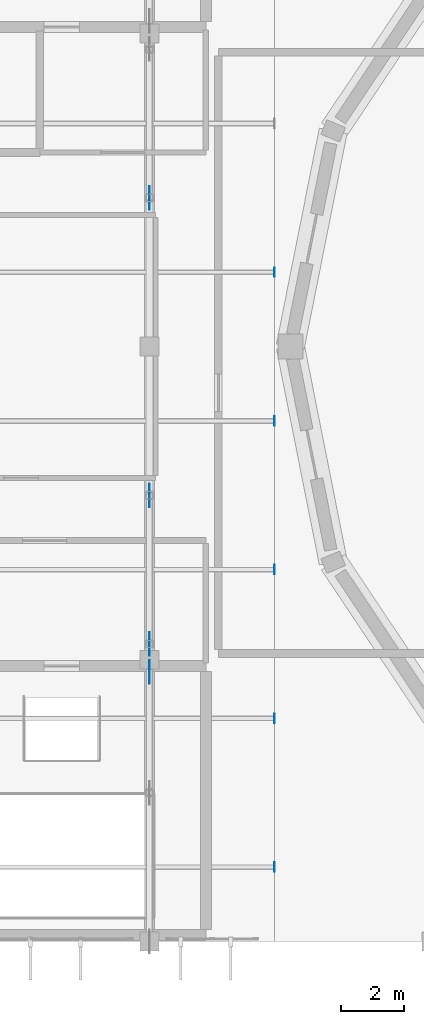
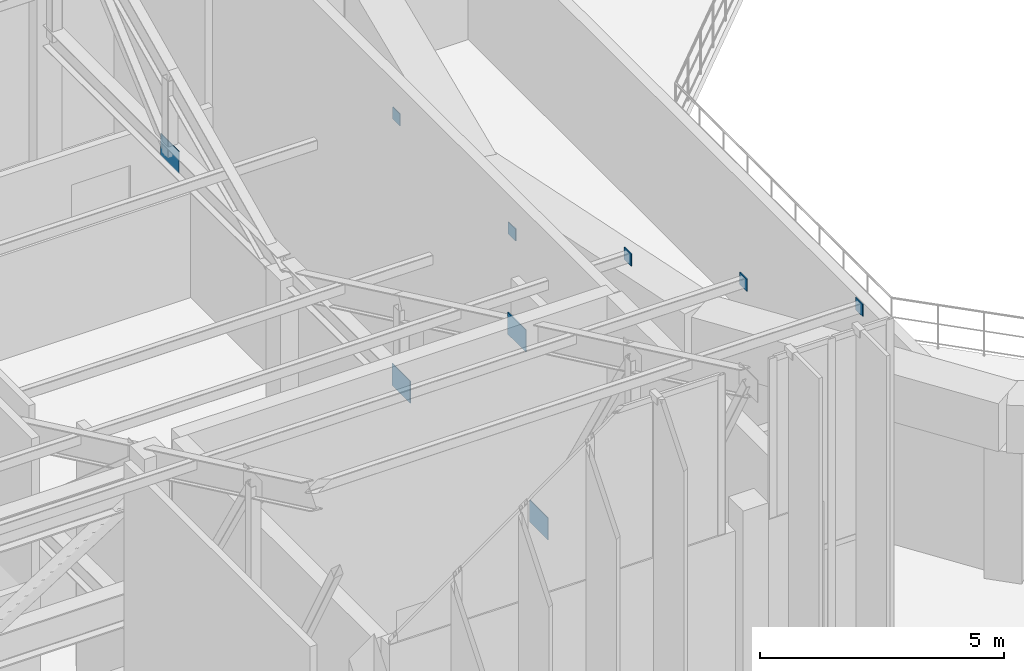
# One storey, part 54 of 68: 9 plates.
"""IFC4 building model written with IfcOpenShell, lengths in metres."""

from ifc_helpers import new_model, si_unit, direction, frame, origin, origin_2d, place, context, subcontext, project, spatial, rectangle, extrude, material, layer, layer_set, type_object, element, save


model = new_model("IFC4")

# Units and contexts
model_context = context("Model", 3, precision=1e-05, world=origin(), true_north=direction((0.0, 1.0)))
body_context = subcontext(model_context, "Body", "Model", "MODEL_VIEW")
ifc_project = project(units=[si_unit("LENGTHUNIT", "METRE"), si_unit("AREAUNIT", "SQUARE_METRE"), si_unit("VOLUMEUNIT", "CUBIC_METRE"), si_unit("PLANEANGLEUNIT", "RADIAN"), si_unit("MASSUNIT", "GRAM", prefix="KILO")], contexts=[model_context])

# Site, building, storey
site_placement = place(None, origin())
site = spatial("IfcSite", under=ifc_project, at=site_placement, CompositionType="ELEMENT")
building_placement = place(site_placement, origin())
building = spatial("IfcBuilding", under=site, at=building_placement, Name="Miravela Opera House", CompositionType="ELEMENT")
storey_placement = place(building_placement, frame((0.0, 0.0, 21.760009765625)))
storey = spatial("IfcBuildingStorey", under=building, at=storey_placement, Name="L05", CompositionType="ELEMENT", Elevation=21.760009765625)

# Plates
ifc_material = material(Name="Structural steel ASTM A572 Gr. 50", Category="steel")
ifc_layer_1 = layer(ifc_material, 0.02001953125)
ifc_layer_set_1 = layer_set([ifc_layer_1])
plate_type_1 = type_object("IfcPlateType", Name="STR-PL-CAP-300X300X20", PredefinedType="SHEET", material=ifc_layer_set_1)
for number, where, z_axis, x_axis, name in (
    (1, (57.998046875, 39.375, 10.8447265625), (0.0, 0.0, 1.0), (1.0, 0.0, 0.0), "HSS Welded End Cap Plate 070"),
    (2, (57.998046875, 44.125, 8.5947265625), (0.0, 0.0, 1.0), (1.0, 0.0, 0.0), "HSS Welded End Cap Plate 071"),
    (3, (57.998046875, 48.875, 6.3447265625), (0.0, 0.0, 1.0), (1.0, 0.0, 0.0), "HSS Welded End Cap Plate 072"),
    (4, (57.998046875, 53.625, 4.0947265625), (0.0, 0.0, 1.0), (1.0, 0.0, 0.0), "HSS Welded End Cap Plate 073"),
    (5, (57.998046875, 58.375, 4.0947265625), (0.0, 0.0, 1.0), (1.0, 0.0, 0.0), "HSS Welded End Cap Plate 074"),
):
    element("IfcPlate", number, at=place(storey_placement, frame(where, z_axis=z_axis, x_axis=x_axis)), inside=storey, type_object=plate_type_1, Name=name, PredefinedType="SHEET", context=body_context, shape_type="SweptSolid", body=[
        extrude(rectangle(XDim=0.02001953125, YDim=0.300048828125, at=origin_2d()), origin(), (0.0, 0.0, 1.0), 0.300048828125),
    ])
ifc_layer_2 = layer(ifc_material, 0.02001953125)
ifc_layer_set_2 = layer_set([ifc_layer_2])
plate_type_2 = type_object("IfcPlateType", Name="STR-PL-GUS-750X550X20", PredefinedType="USERDEFINED", material=ifc_layer_set_2)
for number, where, z_axis, x_axis, name in (
    (6, (54.0, 45.60009765625, 3.0048828125), (0.0, 0.0, 1.0), (0.0, 1.0, 0.0), "Brace Node Gusset Plate 475"),
    (7, (54.0, 51.25, 3.0048828125), (0.0, 0.0, 1.0), (0.0, 1.0, 0.0), "Brace Node Gusset Plate 477"),
    (8, (54.0, 46.5, 7.1650390625), (0.0, 0.0, 1.0), (0.0, 1.0, 0.0), "Brace Node Gusset Plate 478"),
    (9, (54.0, 60.75, 3.0048828125), (0.0, 0.0, 1.0), (0.0, 1.0, 0.0), "Brace Node Gusset Plate 479"),
):
    element("IfcPlate", number, at=place(storey_placement, frame(where, z_axis=z_axis, x_axis=x_axis)), inside=storey, type_object=plate_type_2, Name=name, ObjectType="GUSSET PLATE", PredefinedType="USERDEFINED", context=body_context, shape_type="SweptSolid", body=[
        extrude(rectangle(XDim=0.75, YDim=0.02001953125, at=origin_2d()), origin(), (0.0, 0.0, 1.0), 0.550048828125),
    ])

save(model, "model.ifc")
